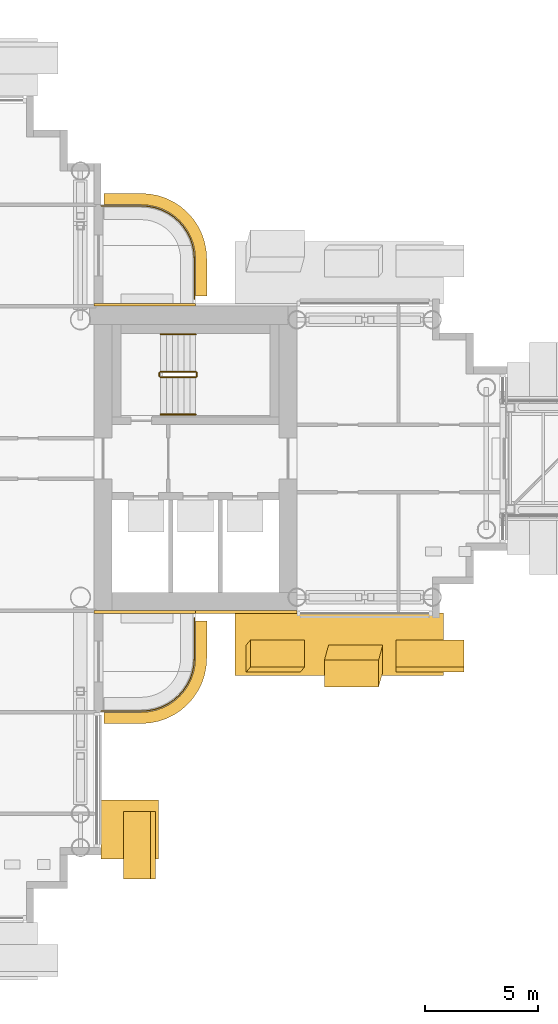
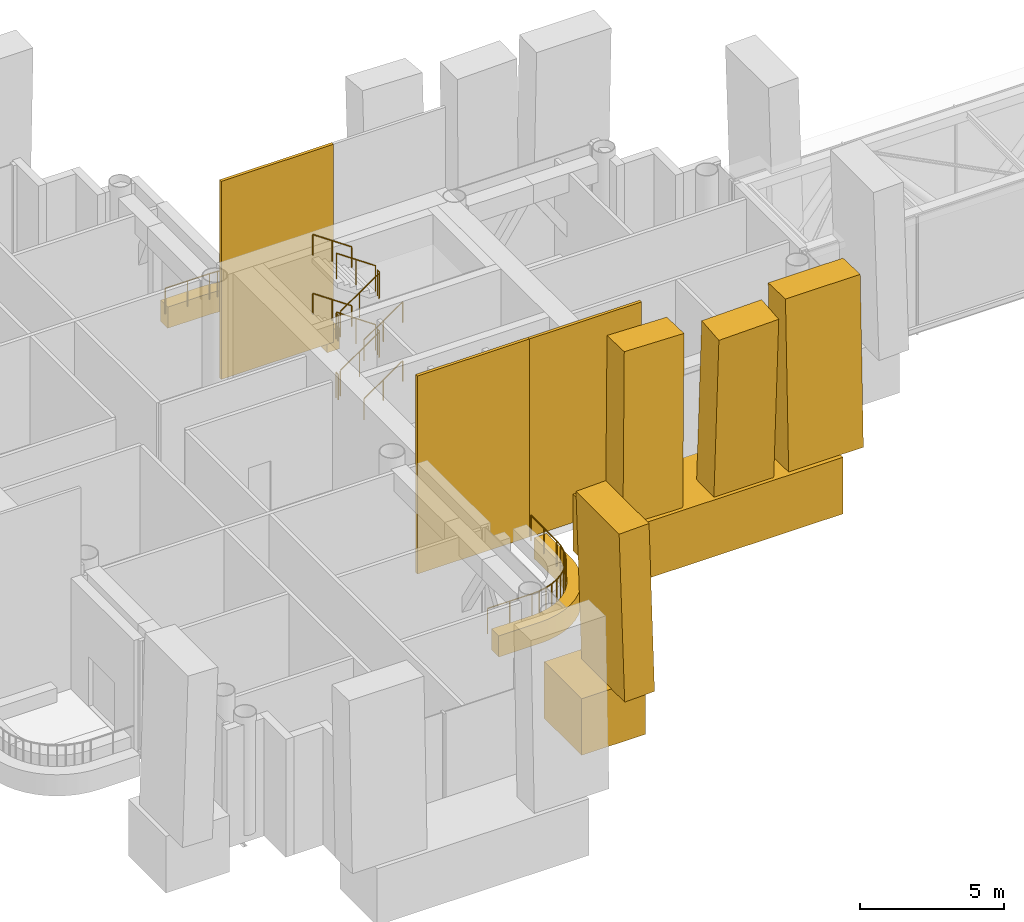
# One storey, part 28 of 34: 14 railings, 11 coverings.
"""IFC4 building model written with IfcOpenShell, lengths in metres."""

from ifc_helpers import new_model, si_unit, direction, frame, origin, origin_2d, place, context, subcontext, project, spatial, polyline, rectangle, circle, outline, extrude, material, layer, layer_set, material_profile, profile_set, type_object, element, save


model = new_model("IFC4")

# Units and contexts
model_context = context("Model", 3, precision=1e-05, world=origin(), true_north=direction((0.0, 1.0)))
body_context = subcontext(model_context, "Body", "Model", "MODEL_VIEW")
ifc_project = project(units=[si_unit("LENGTHUNIT", "METRE"), si_unit("AREAUNIT", "SQUARE_METRE"), si_unit("VOLUMEUNIT", "CUBIC_METRE"), si_unit("PLANEANGLEUNIT", "RADIAN"), si_unit("MASSUNIT", "GRAM", prefix="KILO")], contexts=[model_context])

# Site, building, storey
site_placement = place(None, origin())
site = spatial("IfcSite", under=ifc_project, at=site_placement, CompositionType="ELEMENT")
building_placement = place(site_placement, origin())
building = spatial("IfcBuilding", under=site, at=building_placement, Name="Ipe Terrace Towers", CompositionType="ELEMENT")
storey_placement = place(building_placement, frame((0.0, 0.0, 128.699951171875)))
storey = spatial("IfcBuildingStorey", under=building, at=storey_placement, Name="L35", CompositionType="ELEMENT", Elevation=128.699951171875)

# Railings
ifc_material_1 = material(Name="Stainless steel S316", Category="steel")
railing_type_1 = type_object("IfcRailingType", Name="GUARD 1100", PredefinedType="BALUSTRADE", material=ifc_material_1)
railing_1_placement = place(storey_placement, frame((-28.929931640625, -11.199951171875, -0.02001953125)))
element("IfcRailing", 1, at=railing_1_placement, inside=storey, type_object=railing_type_1, Name="guard", PredefinedType="BALUSTRADE", context=body_context, shape_type="SweptSolid", body=[
    extrude(circle(Radius=0.02392578125, at=origin_2d()), frame((0.0, 0.0, 1.076171875), z_axis=(1.0, 0.0, 0.0), x_axis=(0.0, 1.0, 0.0)), (0.0, 0.0, 1.0), 1.77783203125),
    extrude(circle(Radius=0.02392578125, at=origin_2d()), frame((1.77783203125, 0.0, 1.076171875), z_axis=(0.99790894031, 0.064635492184, 0.0), x_axis=(-0.064635492184, 0.99790894031, 0.0)), (0.0, 0.0, 1.0), 0.309814453125),
    extrude(circle(Radius=0.02392578125, at=origin_2d()), frame((2.0869140625, 0.02001953125, 1.076171875), z_axis=(0.980824674538, 0.194892169718, 0.0), x_axis=(-0.194892169718, 0.980824674538, 0.0)), (0.0, 0.0, 1.0), 0.306884765625),
    extrude(circle(Radius=0.02392578125, at=origin_2d()), frame((2.387939453125, 0.079833984375, 1.076171875), z_axis=(0.946598348228, 0.322415209212, 0.0), x_axis=(-0.322415209212, 0.946598348228, 0.0)), (0.0, 0.0, 1.0), 0.307373046875),
    extrude(circle(Radius=0.02392578125, at=origin_2d()), frame((2.678955078125, 0.178955078125, 1.076171875), z_axis=(0.896952807524, 0.44212629539, 0.0), x_axis=(-0.44212629539, 0.896952807524, 0.0)), (0.0, 0.0, 1.0), 0.3076171875),
    extrude(circle(Radius=0.02392578125, at=origin_2d()), frame((2.954833984375, 0.31494140625, 1.076171875), z_axis=(0.831806228742, 0.555066120228, 0.0), x_axis=(-0.555066120228, 0.831806228742, 0.0)), (0.0, 0.0, 1.0), 0.307861328125),
    extrude(circle(Radius=0.02392578125, at=origin_2d()), frame((3.2109375, 0.48583984375, 1.076171875), z_axis=(0.752478137252, 0.658617227954, 0.0), x_axis=(-0.658617227954, 0.752478137252, 0.0)), (0.0, 0.0, 1.0), 0.306884765625),
    extrude(circle(Radius=0.02392578125, at=origin_2d()), frame((3.44189453125, 0.68798828125, 1.076171875), z_axis=(0.658617227954, 0.752478137252, 0.0), x_axis=(-0.752478137252, 0.658617227954, 0.0)), (0.0, 0.0, 1.0), 0.306884765625),
    extrude(circle(Radius=0.02392578125, at=origin_2d()), frame((3.64404296875, 0.9189453125, 1.076171875), z_axis=(0.555066120228, 0.831806228742, 0.0), x_axis=(-0.831806228742, 0.555066120228, 0.0)), (0.0, 0.0, 1.0), 0.307861328125),
    extrude(circle(Radius=0.02392578125, at=origin_2d()), frame((3.81494140625, 1.175048828125, 1.076171875), z_axis=(0.44212629539, 0.896952807524, 0.0), x_axis=(-0.896952807524, 0.44212629539, 0.0)), (0.0, 0.0, 1.0), 0.3076171875),
    extrude(circle(Radius=0.02392578125, at=origin_2d()), frame((3.950927734375, 1.450927734375, 1.076171875), z_axis=(0.322415209212, 0.946598348228, 0.0), x_axis=(-0.946598348228, 0.322415209212, 0.0)), (0.0, 0.0, 1.0), 0.307373046875),
    extrude(circle(Radius=0.02392578125, at=origin_2d()), frame((4.050048828125, 1.741943359375, 1.076171875), z_axis=(0.194892169718, 0.980824674538, 0.0), x_axis=(-0.980824674538, 0.194892169718, 0.0)), (0.0, 0.0, 1.0), 0.306884765625),
    extrude(circle(Radius=0.02392578125, at=origin_2d()), frame((4.10986328125, 2.04296875, 1.076171875), z_axis=(0.064635492184, 0.99790894031, 0.0), x_axis=(-0.99790894031, 0.064635492184, 0.0)), (0.0, 0.0, 1.0), 0.309814453125),
    extrude(circle(Radius=0.02392578125, at=origin_2d()), frame((4.1298828125, 2.35205078125, 1.076171875), z_axis=(0.0, 1.0, 0.0), x_axis=(-1.0, 0.0, 0.0)), (0.0, 0.0, 1.0), 1.77783203125),
    extrude(circle(Radius=0.02099609375, at=origin_2d()), origin(), (0.0, 0.0, 1.0), 1.052001953125),
    extrude(circle(Radius=0.02099609375, at=origin_2d()), frame((0.888916015625, 0.0, 0.0)), (0.0, 0.0, 1.0), 1.052001953125),
    extrude(circle(Radius=0.02099609375, at=origin_2d()), frame((1.77783203125, 0.0, 0.0)), (0.0, 0.0, 1.0), 1.052001953125),
    extrude(circle(Radius=0.02099609375, at=origin_2d()), frame((2.0869140625, 0.02001953125, 0.0)), (0.0, 0.0, 1.0), 1.052001953125),
    extrude(circle(Radius=0.02099609375, at=origin_2d()), frame((2.387939453125, 0.079833984375, 0.0)), (0.0, 0.0, 1.0), 1.052001953125),
    extrude(circle(Radius=0.02099609375, at=origin_2d()), frame((2.678955078125, 0.178955078125, 0.0)), (0.0, 0.0, 1.0), 1.052001953125),
    extrude(circle(Radius=0.02099609375, at=origin_2d()), frame((2.954833984375, 0.31494140625, 0.0)), (0.0, 0.0, 1.0), 1.052001953125),
    extrude(circle(Radius=0.02099609375, at=origin_2d()), frame((3.2109375, 0.48583984375, 0.0)), (0.0, 0.0, 1.0), 1.052001953125),
    extrude(circle(Radius=0.02099609375, at=origin_2d()), frame((3.44189453125, 0.68798828125, 0.0)), (0.0, 0.0, 1.0), 1.052001953125),
    extrude(circle(Radius=0.02099609375, at=origin_2d()), frame((3.64404296875, 0.9189453125, 0.0)), (0.0, 0.0, 1.0), 1.052001953125),
    extrude(circle(Radius=0.02099609375, at=origin_2d()), frame((3.81494140625, 1.175048828125, 0.0)), (0.0, 0.0, 1.0), 1.052001953125),
    extrude(circle(Radius=0.02099609375, at=origin_2d()), frame((3.950927734375, 1.450927734375, 0.0)), (0.0, 0.0, 1.0), 1.052001953125),
    extrude(circle(Radius=0.02099609375, at=origin_2d()), frame((4.050048828125, 1.741943359375, 0.0)), (0.0, 0.0, 1.0), 1.052001953125),
    extrude(circle(Radius=0.02099609375, at=origin_2d()), frame((4.10986328125, 2.04296875, 0.0)), (0.0, 0.0, 1.0), 1.052001953125),
    extrude(circle(Radius=0.02099609375, at=origin_2d()), frame((4.1298828125, 2.35205078125, 0.0)), (0.0, 0.0, 1.0), 1.052001953125),
    extrude(circle(Radius=0.02099609375, at=origin_2d()), frame((4.1298828125, 3.240966796875, 0.0)), (0.0, 0.0, 1.0), 1.052001953125),
    extrude(circle(Radius=0.02099609375, at=origin_2d()), frame((4.1298828125, 4.1298828125, 0.0)), (0.0, 0.0, 1.0), 1.052001953125),
])
railing_2_placement = place(storey_placement, frame((-24.800048828125, 7.070068359375, -0.02001953125)))
element("IfcRailing", 2, at=railing_2_placement, inside=storey, type_object=railing_type_1, Name="guard", PredefinedType="BALUSTRADE", context=body_context, shape_type="SweptSolid", body=[
    extrude(circle(Radius=0.02392578125, at=origin_2d()), frame((0.0, 0.0, 1.076171875), z_axis=(0.0, 1.0, 0.0), x_axis=(-1.0, 0.0, 0.0)), (0.0, 0.0, 1.0), 1.77783203125),
    extrude(circle(Radius=0.02392578125, at=origin_2d()), frame((0.0, 1.77783203125, 1.076171875), z_axis=(-0.064635492184, 0.99790894031, 0.0), x_axis=(-0.99790894031, -0.064635492184, 0.0)), (0.0, 0.0, 1.0), 0.309814453125),
    extrude(circle(Radius=0.02392578125, at=origin_2d()), frame((-0.02001953125, 2.0869140625, 1.076171875), z_axis=(-0.194892169718, 0.980824674538, 0.0), x_axis=(-0.980824674538, -0.194892169718, 0.0)), (0.0, 0.0, 1.0), 0.306884765625),
    extrude(circle(Radius=0.02392578125, at=origin_2d()), frame((-0.079833984375, 2.387939453125, 1.076171875), z_axis=(-0.322415209212, 0.946598348228, 0.0), x_axis=(-0.946598348228, -0.322415209212, 0.0)), (0.0, 0.0, 1.0), 0.307373046875),
    extrude(circle(Radius=0.02392578125, at=origin_2d()), frame((-0.178955078125, 2.678955078125, 1.076171875), z_axis=(-0.44212629539, 0.896952807524, 0.0), x_axis=(-0.896952807524, -0.44212629539, 0.0)), (0.0, 0.0, 1.0), 0.3076171875),
    extrude(circle(Radius=0.02392578125, at=origin_2d()), frame((-0.31494140625, 2.954833984375, 1.076171875), z_axis=(-0.555066120228, 0.831806228742, 0.0), x_axis=(-0.831806228742, -0.555066120228, 0.0)), (0.0, 0.0, 1.0), 0.307861328125),
    extrude(circle(Radius=0.02392578125, at=origin_2d()), frame((-0.48583984375, 3.2109375, 1.076171875), z_axis=(-0.658617227954, 0.752478137252, 0.0), x_axis=(-0.752478137252, -0.658617227954, 0.0)), (0.0, 0.0, 1.0), 0.306884765625),
    extrude(circle(Radius=0.02392578125, at=origin_2d()), frame((-0.68798828125, 3.44189453125, 1.076171875), z_axis=(-0.752478137252, 0.658617227954, 0.0), x_axis=(-0.658617227954, -0.752478137252, 0.0)), (0.0, 0.0, 1.0), 0.306884765625),
    extrude(circle(Radius=0.02392578125, at=origin_2d()), frame((-0.9189453125, 3.64404296875, 1.076171875), z_axis=(-0.831806228742, 0.555066120228, 0.0), x_axis=(-0.555066120228, -0.831806228742, 0.0)), (0.0, 0.0, 1.0), 0.307861328125),
    extrude(circle(Radius=0.02392578125, at=origin_2d()), frame((-1.175048828125, 3.81494140625, 1.076171875), z_axis=(-0.896952807524, 0.44212629539, 0.0), x_axis=(-0.44212629539, -0.896952807524, 0.0)), (0.0, 0.0, 1.0), 0.3076171875),
    extrude(circle(Radius=0.02392578125, at=origin_2d()), frame((-1.450927734375, 3.950927734375, 1.076171875), z_axis=(-0.946598348228, 0.322415209212, 0.0), x_axis=(-0.322415209212, -0.946598348228, 0.0)), (0.0, 0.0, 1.0), 0.307373046875),
    extrude(circle(Radius=0.02392578125, at=origin_2d()), frame((-1.741943359375, 4.050048828125, 1.076171875), z_axis=(-0.980824674538, 0.194892169718, 0.0), x_axis=(-0.194892169718, -0.980824674538, 0.0)), (0.0, 0.0, 1.0), 0.306884765625),
    extrude(circle(Radius=0.02392578125, at=origin_2d()), frame((-2.04296875, 4.10986328125, 1.076171875), z_axis=(-0.99790894031, 0.064635492184, 0.0), x_axis=(-0.064635492184, -0.99790894031, 0.0)), (0.0, 0.0, 1.0), 0.309814453125),
    extrude(circle(Radius=0.02392578125, at=origin_2d()), frame((-2.35205078125, 4.1298828125, 1.076171875), z_axis=(-1.0, 0.0, 0.0), x_axis=(0.0, -1.0, 0.0)), (0.0, 0.0, 1.0), 1.77783203125),
    extrude(circle(Radius=0.02099609375, at=origin_2d()), origin(), (0.0, 0.0, 1.0), 1.052001953125),
    extrude(circle(Radius=0.02099609375, at=origin_2d()), frame((0.0, 0.888916015625, 0.0)), (0.0, 0.0, 1.0), 1.052001953125),
    extrude(circle(Radius=0.02099609375, at=origin_2d()), frame((0.0, 1.77783203125, 0.0)), (0.0, 0.0, 1.0), 1.052001953125),
    extrude(circle(Radius=0.02099609375, at=origin_2d()), frame((-0.02001953125, 2.0869140625, 0.0)), (0.0, 0.0, 1.0), 1.052001953125),
    extrude(circle(Radius=0.02099609375, at=origin_2d()), frame((-0.079833984375, 2.387939453125, 0.0)), (0.0, 0.0, 1.0), 1.052001953125),
    extrude(circle(Radius=0.02099609375, at=origin_2d()), frame((-0.178955078125, 2.678955078125, 0.0)), (0.0, 0.0, 1.0), 1.052001953125),
    extrude(circle(Radius=0.02099609375, at=origin_2d()), frame((-0.31494140625, 2.954833984375, 0.0)), (0.0, 0.0, 1.0), 1.052001953125),
    extrude(circle(Radius=0.02099609375, at=origin_2d()), frame((-0.48583984375, 3.2109375, 0.0)), (0.0, 0.0, 1.0), 1.052001953125),
    extrude(circle(Radius=0.02099609375, at=origin_2d()), frame((-0.68798828125, 3.44189453125, 0.0)), (0.0, 0.0, 1.0), 1.052001953125),
    extrude(circle(Radius=0.02099609375, at=origin_2d()), frame((-0.9189453125, 3.64404296875, 0.0)), (0.0, 0.0, 1.0), 1.052001953125),
    extrude(circle(Radius=0.02099609375, at=origin_2d()), frame((-1.175048828125, 3.81494140625, 0.0)), (0.0, 0.0, 1.0), 1.052001953125),
    extrude(circle(Radius=0.02099609375, at=origin_2d()), frame((-1.450927734375, 3.950927734375, 0.0)), (0.0, 0.0, 1.0), 1.052001953125),
    extrude(circle(Radius=0.02099609375, at=origin_2d()), frame((-1.741943359375, 4.050048828125, 0.0)), (0.0, 0.0, 1.0), 1.052001953125),
    extrude(circle(Radius=0.02099609375, at=origin_2d()), frame((-2.04296875, 4.10986328125, 0.0)), (0.0, 0.0, 1.0), 1.052001953125),
    extrude(circle(Radius=0.02099609375, at=origin_2d()), frame((-2.35205078125, 4.1298828125, 0.0)), (0.0, 0.0, 1.0), 1.052001953125),
    extrude(circle(Radius=0.02099609375, at=origin_2d()), frame((-3.240966796875, 4.1298828125, 0.0)), (0.0, 0.0, 1.0), 1.052001953125),
    extrude(circle(Radius=0.02099609375, at=origin_2d()), frame((-4.1298828125, 4.1298828125, 0.0)), (0.0, 0.0, 1.0), 1.052001953125),
])

# Coverings
ifc_material_2 = material(Name="Concrete C50/60 precast, buff finish", Category="concrete")
ifc_layer_1 = layer(ifc_material_2, 0.1201171875)
ifc_layer_set_1 = layer_set([ifc_layer_1], Name="STONE CORE CLADDING 120")
covering_type_1 = type_object("IfcCoveringType", Name="STONE CORE CLADDING 120", PredefinedType="CLADDING", material=ifc_layer_set_1)
covering_1_placement = place(storey_placement, frame((-27.0, -6.81005859375, 0.0), z_axis=(0.0, 0.0, 1.0), x_axis=(1.0, 0.0, 0.0)))
element("IfcCovering", 3, at=covering_1_placement, inside=storey, type_object=covering_type_1, Name="stone core cladding", PredefinedType="CLADDING", context=body_context, shape_type="SweptSolid", body=[
    extrude(rectangle(XDim=4.5, YDim=0.1201171875, at=origin_2d()), origin(), (0.0, 0.0, 1.0), 8.39990234375),
])
covering_2_placement = place(storey_placement, frame((-22.4990234375, -6.81005859375, 0.0), z_axis=(0.0, 0.0, 1.0), x_axis=(1.0, 0.0, 0.0)))
element("IfcCovering", 4, at=covering_2_placement, inside=storey, type_object=covering_type_1, Name="stone core cladding", PredefinedType="CLADDING", context=body_context, shape_type="SweptSolid", body=[
    extrude(rectangle(XDim=4.5009765625, YDim=0.1201171875, at=origin_2d()), origin(), (0.0, 0.0, 1.0), 8.39990234375),
])
covering_3_placement = place(storey_placement, frame((-27.0, 6.81005859375, 0.0), z_axis=(0.0, 0.0, 1.0), x_axis=(-1.0, 0.0, 0.0)))
element("IfcCovering", 5, at=covering_3_placement, inside=storey, type_object=covering_type_1, Name="stone core cladding", PredefinedType="CLADDING", context=body_context, shape_type="SweptSolid", body=[
    extrude(rectangle(XDim=4.5, YDim=0.1201171875, at=origin_2d()), origin(), (0.0, 0.0, 1.0), 8.39990234375),
])
ifc_material_3 = material(Name="Concrete C50/60 precast, buff finish", Category="concrete")
ifc_layer_2 = layer(ifc_material_3, 0.5)
ifc_layer_set_2 = layer_set([ifc_layer_2], Name="STONE EDGE BAND 500 x 900")
covering_type_2 = type_object("IfcCoveringType", Name="STONE EDGE BAND 500 x 900", PredefinedType="CLADDING", material=ifc_layer_set_2)
covering_4_placement = place(storey_placement, frame((0.0, 0.0, -0.719970703125)))
element("IfcCovering", 6, at=covering_4_placement, inside=storey, type_object=covering_type_2, Name="stone edge band", PredefinedType="CLADDING", context=body_context, shape_type="SweptSolid", body=[
    extrude(outline(polyline([(-27.14990234375, -11.75), (-27.116943359375, -11.7490234375), (-26.803955078125, -11.72802734375), (-26.739013671875, -11.719970703125), (-26.430908203125, -11.658935546875), (-26.367919921875, -11.64208984375), (-26.071044921875, -11.541015625), (-26.010009765625, -11.51611328125), (-25.72900390625, -11.376953125), (-25.672119140625, -11.343994140625), (-25.410888671875, -11.169921875), (-25.35888671875, -11.1298828125), (-25.123046875, -10.923095703125), (-25.076904296875, -10.876953125), (-24.8701171875, -10.64111328125), (-24.830078125, -10.589111328125), (-24.656005859375, -10.327880859375), (-24.623046875, -10.27099609375), (-24.48388671875, -9.989990234375), (-24.458984375, -9.928955078125), (-24.35791015625, -9.632080078125), (-24.341064453125, -9.569091796875), (-24.280029296875, -9.260986328125), (-24.27197265625, -9.196044921875), (-24.2509765625, -8.883056640625), (-24.25, -8.85009765625), (-24.25, -7.199951171875), (-24.75, -7.199951171875), (-24.75, -8.85009765625), (-24.77099609375, -9.1630859375), (-24.83203125, -9.470947265625), (-24.93310546875, -9.76806640625), (-25.072021484375, -10.050048828125), (-25.24609375, -10.31103515625), (-25.452880859375, -10.547119140625), (-25.68896484375, -10.75390625), (-25.949951171875, -10.927978515625), (-26.23193359375, -11.06689453125), (-26.529052734375, -11.16796875), (-26.8369140625, -11.22900390625), (-27.14990234375, -11.25), (-28.800048828125, -11.25), (-28.800048828125, -11.75), (-27.14990234375, -11.75)])), origin(), (0.0, 0.0, 1.0), 0.89990234375),
])
covering_5_placement = place(storey_placement, frame((0.0, 0.0, -0.719970703125)))
element("IfcCovering", 7, at=covering_5_placement, inside=storey, type_object=covering_type_2, Name="stone edge band", PredefinedType="CLADDING", context=body_context, shape_type="SweptSolid", body=[
    extrude(outline(polyline([(-27.14990234375, 11.75), (-28.800048828125, 11.75), (-28.800048828125, 11.25), (-27.14990234375, 11.25), (-26.8369140625, 11.22900390625), (-26.529052734375, 11.16796875), (-26.23193359375, 11.06689453125), (-25.949951171875, 10.927978515625), (-25.68896484375, 10.75390625), (-25.452880859375, 10.547119140625), (-25.24609375, 10.31103515625), (-25.072021484375, 10.050048828125), (-24.93310546875, 9.76806640625), (-24.83203125, 9.470947265625), (-24.77099609375, 9.1630859375), (-24.75, 8.85009765625), (-24.75, 7.199951171875), (-24.25, 7.199951171875), (-24.25, 8.85009765625), (-24.2509765625, 8.883056640625), (-24.27197265625, 9.196044921875), (-24.280029296875, 9.260986328125), (-24.341064453125, 9.569091796875), (-24.35791015625, 9.632080078125), (-24.458984375, 9.928955078125), (-24.48388671875, 9.989990234375), (-24.623046875, 10.27099609375), (-24.656005859375, 10.327880859375), (-24.830078125, 10.589111328125), (-24.8701171875, 10.64111328125), (-25.076904296875, 10.876953125), (-25.123046875, 10.923095703125), (-25.35888671875, 11.1298828125), (-25.410888671875, 11.169921875), (-25.672119140625, 11.343994140625), (-25.72900390625, 11.376953125), (-26.010009765625, 11.51611328125), (-26.071044921875, 11.541015625), (-26.367919921875, 11.64208984375), (-26.430908203125, 11.658935546875), (-26.739013671875, 11.719970703125), (-26.803955078125, 11.72802734375), (-27.116943359375, 11.7490234375), (-27.14990234375, 11.75)])), origin(), (0.0, 0.0, 1.0), 0.89990234375),
])
ifc_material_4 = material(Name="Concrete C50/60 precast, buff finish", Category="concrete")
ifc_material_profile_1 = material_profile(ifc_material_4, rectangle(XDim=2.39990234375, YDim=1.199951171875, at=origin_2d()), Name="STONE FIN 2400 x 1200")
ifc_profile_set_1 = profile_set([ifc_material_profile_1], Name="Concrete C50/60 precast, buff finish")
covering_type_3 = type_object("IfcCoveringType", Name="STONE FIN 2400 x 1200", PredefinedType="USERDEFINED", material=ifc_profile_set_1)
covering_6_placement = place(storey_placement, frame((-17.64990234375, -8.8701171875, 1.199951171875), z_axis=(-0.025179171392, -0.092211120967, 0.995421075976), x_axis=(0.999682954405, -0.002322535975, 0.02507182679)))
element("IfcCovering", 8, at=covering_6_placement, inside=storey, type_object=covering_type_3, Name="stone fin", ObjectType="FIN", PredefinedType="USERDEFINED", context=body_context, shape_type="SweptSolid", body=[
    extrude(rectangle(XDim=2.39990234375, YDim=1.199951171875, at=origin_2d()), origin(), (0.0, 0.0, 1.0), 7.2333984375),
])
covering_7_placement = place(storey_placement, frame((-21.300048828125, -8.8701171875, 1.199951171875), z_axis=(0.025274885471, 0.03083129461, 0.999204989698), x_axis=(0.999680539055, -0.000779506464, -0.025262862175)))
element("IfcCovering", 9, at=covering_7_placement, inside=storey, type_object=covering_type_3, Name="stone fin", ObjectType="FIN", PredefinedType="USERDEFINED", context=body_context, shape_type="SweptSolid", body=[
    extrude(rectangle(XDim=2.39990234375, YDim=1.199951171875, at=origin_2d()), origin(), (0.0, 0.0, 1.0), 7.205810546875),
])
ifc_material_5 = material(Name="Concrete C50/60 precast, buff finish", Category="concrete")
ifc_material_profile_2 = material_profile(ifc_material_5, rectangle(XDim=3.0, YDim=1.199951171875, at=origin_2d()), Name="STONE FIN CORNER 3000 x 1200")
ifc_profile_set_2 = profile_set([ifc_material_profile_2], Name="Concrete C50/60 precast, buff finish")
covering_type_4 = type_object("IfcCoveringType", Name="STONE FIN CORNER 3000 x 1200", PredefinedType="USERDEFINED", material=ifc_profile_set_2)
for number, where, z_axis, x_axis, name in (
    (10, (-14.35009765625, -8.8701171875, 1.199951171875), (0.0, 0.030841147152, 0.999524298675), (1.0, 0.0, 0.0), "stone fin"),
    (11, (-27.1298828125, -17.14990234375, 1.199951171875), (-0.030841147152, 0.0, 0.999524298675), (0.0, 1.0, 0.0), "stone fin"),
):
    element("IfcCovering", number, at=place(storey_placement, frame(where, z_axis=z_axis, x_axis=x_axis)), inside=storey, type_object=covering_type_4, Name=name, ObjectType="FIN", PredefinedType="USERDEFINED", context=body_context, shape_type="SweptSolid", body=[
        extrude(rectangle(XDim=3.0, YDim=1.199951171875, at=origin_2d()), origin(), (0.0, 0.0, 1.0), 7.20361328125),
    ])
ifc_material_6 = material(Name="Concrete C50/60 precast, buff finish", Category="concrete")
ifc_material_profile_3 = material_profile(ifc_material_6, rectangle(XDim=2.56005859375, YDim=2.39990234375, at=origin_2d()), Name="STONE FIN SPANDREL 2560 x 2400")
ifc_profile_set_3 = profile_set([ifc_material_profile_3], Name="Concrete C50/60 precast, buff finish")
covering_type_5 = type_object("IfcCoveringType", Name="STONE FIN SPANDREL 2560 x 2400", PredefinedType="CLADDING", material=ifc_profile_set_3)
covering_8_placement = place(storey_placement, frame((-27.659912109375, -17.75, 0.0), z_axis=(0.0, 1.0, 0.0), x_axis=(1.0, 0.0, 0.0)))
element("IfcCovering", 12, at=covering_8_placement, inside=storey, type_object=covering_type_5, Name="stone fin spandrel", PredefinedType="CLADDING", context=body_context, shape_type="SweptSolid", body=[
    extrude(rectangle(XDim=2.56005859375, YDim=2.39990234375, at=origin_2d()), origin(), (0.0, 0.0, 1.0), 2.60009765625),
])
ifc_material_7 = material(Name="Concrete C50/60 precast, buff finish", Category="concrete")
ifc_material_profile_4 = material_profile(ifc_material_7, rectangle(XDim=2.760009765625, YDim=2.39990234375, at=origin_2d()), Name="STONE FIN SPANDREL 2760 x 2400")
ifc_profile_set_4 = profile_set([ifc_material_profile_4], Name="Concrete C50/60 precast, buff finish")
covering_type_6 = type_object("IfcCoveringType", Name="STONE FIN SPANDREL 2760 x 2400", PredefinedType="CLADDING", material=ifc_profile_set_4)
covering_9_placement = place(storey_placement, frame((-23.0, -8.239990234375, 0.0), z_axis=(1.0, 0.0, 0.0), x_axis=(0.0, -1.0, 0.0)))
element("IfcCovering", 13, at=covering_9_placement, inside=storey, type_object=covering_type_6, Name="stone fin spandrel", PredefinedType="CLADDING", context=body_context, shape_type="SweptSolid", body=[
    extrude(rectangle(XDim=2.760009765625, YDim=2.39990234375, at=origin_2d()), origin(), (0.0, 0.0, 1.0), 9.25),
])

# Railings
ifc_material_8 = material(Name="Steel S355", Category="steel")
railing_type_2 = type_object("IfcRailingType", Name="Stair guard 1100", PredefinedType="GUARDRAIL", material=ifc_material_8)
railing_3_placement = place(storey_placement, frame((-26.300048828125, 3.60009765625, 0.1787109375)))
element("IfcRailing", 14, at=railing_3_placement, inside=storey, type_object=railing_type_2, Name="L35 T1-ST1 stair guard 1", PredefinedType="GUARDRAIL", context=body_context, shape_type="SweptSolid", body=[
    extrude(circle(Radius=0.02392578125, at=origin_2d()), frame((0.0, 0.0, 1.076171875), z_axis=(0.824350458958, 0.0, 0.566079783084), x_axis=(0.0, 1.0, 0.0)), (0.0, 0.0, 1.0), 1.892578125),
    extrude(circle(Radius=0.02099609375, at=origin_2d()), origin(), (0.0, 0.0, 1.0), 1.052001953125),
    extrude(circle(Radius=0.02099609375, at=origin_2d()), frame((0.780029296875, 0.0, 0.53564453125)), (0.0, 0.0, 1.0), 1.052001953125),
    extrude(circle(Radius=0.02099609375, at=origin_2d()), frame((1.56005859375, 0.0, 1.0712890625)), (0.0, 0.0, 1.0), 1.052001953125),
])
railing_4_placement = place(storey_placement, frame((-24.68994140625, 3.64990234375, 1.25)))
element("IfcRailing", 15, at=railing_4_placement, inside=storey, type_object=railing_type_2, Name="L35 T1-ST1 stair guard 2", PredefinedType="GUARDRAIL", context=body_context, shape_type="SweptSolid", body=[
    extrude(circle(Radius=0.02392578125, at=origin_2d()), frame((0.0, 0.0, 1.076171875), z_axis=(0.0, 1.0, 0.0), x_axis=(-1.0, 0.0, 0.0)), (0.0, 0.0, 1.0), 0.150146484375),
    extrude(circle(Radius=0.02099609375, at=origin_2d()), origin(), (0.0, 0.0, 1.0), 1.052001953125),
    extrude(circle(Radius=0.02099609375, at=origin_2d()), frame((0.0, 0.150146484375, 0.0)), (0.0, 0.0, 1.0), 1.052001953125),
])
railing_5_placement = place(storey_placement, frame((-24.739990234375, 3.85009765625, 1.4287109375)))
element("IfcRailing", 16, at=railing_5_placement, inside=storey, type_object=railing_type_2, Name="L35 T1-ST1 stair guard 3", PredefinedType="GUARDRAIL", context=body_context, shape_type="SweptSolid", body=[
    extrude(circle(Radius=0.02392578125, at=origin_2d()), frame((0.0, 0.0, 1.076171875), z_axis=(-0.824350458958, 0.0, 0.566079783084), x_axis=(0.0, -1.0, 0.0)), (0.0, 0.0, 1.0), 1.892578125),
    extrude(circle(Radius=0.02099609375, at=origin_2d()), origin(), (0.0, 0.0, 1.0), 1.052001953125),
    extrude(circle(Radius=0.02099609375, at=origin_2d()), frame((-0.780029296875, 0.0, 0.53564453125)), (0.0, 0.0, 1.0), 1.052001953125),
    extrude(circle(Radius=0.02099609375, at=origin_2d()), frame((-1.56005859375, 0.0, 1.0712890625)), (0.0, 0.0, 1.0), 1.052001953125),
])
railing_6_placement = place(storey_placement, frame((-26.35009765625, 3.64990234375, 2.5)))
element("IfcRailing", 17, at=railing_6_placement, inside=storey, type_object=railing_type_2, Name="L35 T1-ST1 stair guard 4", PredefinedType="GUARDRAIL", context=body_context, shape_type="SweptSolid", body=[
    extrude(circle(Radius=0.02392578125, at=origin_2d()), frame((0.0, 0.0, 1.076171875), z_axis=(0.0, 1.0, 0.0), x_axis=(-1.0, 0.0, 0.0)), (0.0, 0.0, 1.0), 0.150146484375),
    extrude(circle(Radius=0.02099609375, at=origin_2d()), origin(), (0.0, 0.0, 1.0), 1.052001953125),
    extrude(circle(Radius=0.02099609375, at=origin_2d()), frame((0.0, 0.150146484375, 0.0)), (0.0, 0.0, 1.0), 1.052001953125),
])
railing_7_placement = place(storey_placement, frame((-26.300048828125, 3.60009765625, 2.6787109375)))
element("IfcRailing", 18, at=railing_7_placement, inside=storey, type_object=railing_type_2, Name="L35 T1-ST1 stair guard 5", PredefinedType="GUARDRAIL", context=body_context, shape_type="SweptSolid", body=[
    extrude(circle(Radius=0.02392578125, at=origin_2d()), frame((0.0, 0.0, 1.076171875), z_axis=(0.824350458958, 0.0, 0.566079783084), x_axis=(0.0, 1.0, 0.0)), (0.0, 0.0, 1.0), 1.892578125),
    extrude(circle(Radius=0.02099609375, at=origin_2d()), origin(), (0.0, 0.0, 1.0), 1.052001953125),
    extrude(circle(Radius=0.02099609375, at=origin_2d()), frame((0.780029296875, 0.0, 0.53564453125)), (0.0, 0.0, 1.0), 1.052001953125),
    extrude(circle(Radius=0.02099609375, at=origin_2d()), frame((1.56005859375, 0.0, 1.0712890625)), (0.0, 0.0, 1.0), 1.052001953125),
])
railing_8_placement = place(storey_placement, frame((-24.68994140625, 3.64990234375, 3.75)))
element("IfcRailing", 19, at=railing_8_placement, inside=storey, type_object=railing_type_2, Name="L35 T1-ST1 stair guard 6", PredefinedType="GUARDRAIL", context=body_context, shape_type="SweptSolid", body=[
    extrude(circle(Radius=0.02392578125, at=origin_2d()), frame((0.0, 0.0, 1.076171875), z_axis=(0.0, 1.0, 0.0), x_axis=(-1.0, 0.0, 0.0)), (0.0, 0.0, 1.0), 0.150146484375),
    extrude(circle(Radius=0.02099609375, at=origin_2d()), origin(), (0.0, 0.0, 1.0), 1.052001953125),
    extrude(circle(Radius=0.02099609375, at=origin_2d()), frame((0.0, 0.150146484375, 0.0)), (0.0, 0.0, 1.0), 1.052001953125),
])
railing_9_placement = place(storey_placement, frame((-24.739990234375, 3.85009765625, 3.9287109375)))
element("IfcRailing", 20, at=railing_9_placement, inside=storey, type_object=railing_type_2, Name="L35 T1-ST1 stair guard 7", PredefinedType="GUARDRAIL", context=body_context, shape_type="SweptSolid", body=[
    extrude(circle(Radius=0.02392578125, at=origin_2d()), frame((0.0, 0.0, 1.076171875), z_axis=(-0.824350458958, 0.0, 0.566079783084), x_axis=(0.0, -1.0, 0.0)), (0.0, 0.0, 1.0), 1.892578125),
    extrude(circle(Radius=0.02099609375, at=origin_2d()), origin(), (0.0, 0.0, 1.0), 1.052001953125),
    extrude(circle(Radius=0.02099609375, at=origin_2d()), frame((-0.780029296875, 0.0, 0.53564453125)), (0.0, 0.0, 1.0), 1.052001953125),
    extrude(circle(Radius=0.02099609375, at=origin_2d()), frame((-1.56005859375, 0.0, 1.0712890625)), (0.0, 0.0, 1.0), 1.052001953125),
])
railing_10_placement = place(storey_placement, frame((-26.35009765625, 3.64990234375, 0.0)))
element("IfcRailing", 21, at=railing_10_placement, inside=storey, type_object=railing_type_2, Name="L35 T1-ST1 stair guard 8", PredefinedType="GUARDRAIL", context=body_context, shape_type="SweptSolid", body=[
    extrude(circle(Radius=0.02392578125, at=origin_2d()), frame((0.0, 0.0, 1.076171875), z_axis=(0.0, 1.0, 0.0), x_axis=(-1.0, 0.0, 0.0)), (0.0, 0.0, 1.0), 0.150146484375),
    extrude(circle(Radius=0.02099609375, at=origin_2d()), origin(), (0.0, 0.0, 1.0), 1.052001953125),
    extrude(circle(Radius=0.02099609375, at=origin_2d()), frame((0.0, 0.150146484375, 0.0)), (0.0, 0.0, 1.0), 1.052001953125),
])
ifc_material_9 = material(Name="Stainless steel grade 304", Category="steel")
railing_type_3 = type_object("IfcRailingType", Name="Stair handrail 900", PredefinedType="HANDRAIL", material=ifc_material_9)
railing_11_placement = place(storey_placement, frame((-26.300048828125, 1.949951171875, 0.1787109375)))
element("IfcRailing", 22, at=railing_11_placement, inside=storey, type_object=railing_type_3, Name="L35 T1-ST1 stair handrail 1", PredefinedType="HANDRAIL", context=body_context, shape_type="SweptSolid", body=[
    extrude(circle(Radius=0.02392578125, at=origin_2d()), frame((0.0, 0.0, 0.8759765625), z_axis=(0.824350458958, 0.0, 0.566079783084), x_axis=(0.0, 1.0, 0.0)), (0.0, 0.0, 1.0), 1.892578125),
    extrude(circle(Radius=0.02099609375, at=origin_2d()), origin(), (0.0, 0.0, 1.0), 0.851806640625),
    extrude(circle(Radius=0.02099609375, at=origin_2d()), frame((0.780029296875, 0.0, 0.53564453125)), (0.0, 0.0, 1.0), 0.851806640625),
    extrude(circle(Radius=0.02099609375, at=origin_2d()), frame((1.56005859375, 0.0, 1.0712890625)), (0.0, 0.0, 1.0), 0.851806640625),
])
railing_12_placement = place(storey_placement, frame((-24.739990234375, 5.5, 1.4287109375)))
element("IfcRailing", 23, at=railing_12_placement, inside=storey, type_object=railing_type_3, Name="L35 T1-ST1 stair handrail 2", PredefinedType="HANDRAIL", context=body_context, shape_type="SweptSolid", body=[
    extrude(circle(Radius=0.02392578125, at=origin_2d()), frame((0.0, 0.0, 0.8759765625), z_axis=(-0.824350458958, 0.0, 0.566079783084), x_axis=(0.0, -1.0, 0.0)), (0.0, 0.0, 1.0), 1.892578125),
    extrude(circle(Radius=0.02099609375, at=origin_2d()), origin(), (0.0, 0.0, 1.0), 0.851806640625),
    extrude(circle(Radius=0.02099609375, at=origin_2d()), frame((-0.780029296875, 0.0, 0.53564453125)), (0.0, 0.0, 1.0), 0.851806640625),
    extrude(circle(Radius=0.02099609375, at=origin_2d()), frame((-1.56005859375, 0.0, 1.0712890625)), (0.0, 0.0, 1.0), 0.851806640625),
])
railing_13_placement = place(storey_placement, frame((-26.300048828125, 1.949951171875, 2.6787109375)))
element("IfcRailing", 24, at=railing_13_placement, inside=storey, type_object=railing_type_3, Name="L35 T1-ST1 stair handrail 3", PredefinedType="HANDRAIL", context=body_context, shape_type="SweptSolid", body=[
    extrude(circle(Radius=0.02392578125, at=origin_2d()), frame((0.0, 0.0, 0.8759765625), z_axis=(0.824350458958, 0.0, 0.566079783084), x_axis=(0.0, 1.0, 0.0)), (0.0, 0.0, 1.0), 1.892578125),
    extrude(circle(Radius=0.02099609375, at=origin_2d()), origin(), (0.0, 0.0, 1.0), 0.851806640625),
    extrude(circle(Radius=0.02099609375, at=origin_2d()), frame((0.780029296875, 0.0, 0.53564453125)), (0.0, 0.0, 1.0), 0.851806640625),
    extrude(circle(Radius=0.02099609375, at=origin_2d()), frame((1.56005859375, 0.0, 1.0712890625)), (0.0, 0.0, 1.0), 0.851806640625),
])
railing_14_placement = place(storey_placement, frame((-24.739990234375, 5.5, 3.9287109375)))
element("IfcRailing", 25, at=railing_14_placement, inside=storey, type_object=railing_type_3, Name="L35 T1-ST1 stair handrail 4", PredefinedType="HANDRAIL", context=body_context, shape_type="SweptSolid", body=[
    extrude(circle(Radius=0.02392578125, at=origin_2d()), frame((0.0, 0.0, 0.8759765625), z_axis=(-0.824350458958, 0.0, 0.566079783084), x_axis=(0.0, -1.0, 0.0)), (0.0, 0.0, 1.0), 1.892578125),
    extrude(circle(Radius=0.02099609375, at=origin_2d()), origin(), (0.0, 0.0, 1.0), 0.851806640625),
    extrude(circle(Radius=0.02099609375, at=origin_2d()), frame((-0.780029296875, 0.0, 0.53564453125)), (0.0, 0.0, 1.0), 0.851806640625),
    extrude(circle(Radius=0.02099609375, at=origin_2d()), frame((-1.56005859375, 0.0, 1.0712890625)), (0.0, 0.0, 1.0), 0.851806640625),
])

save(model, "model.ifc")
